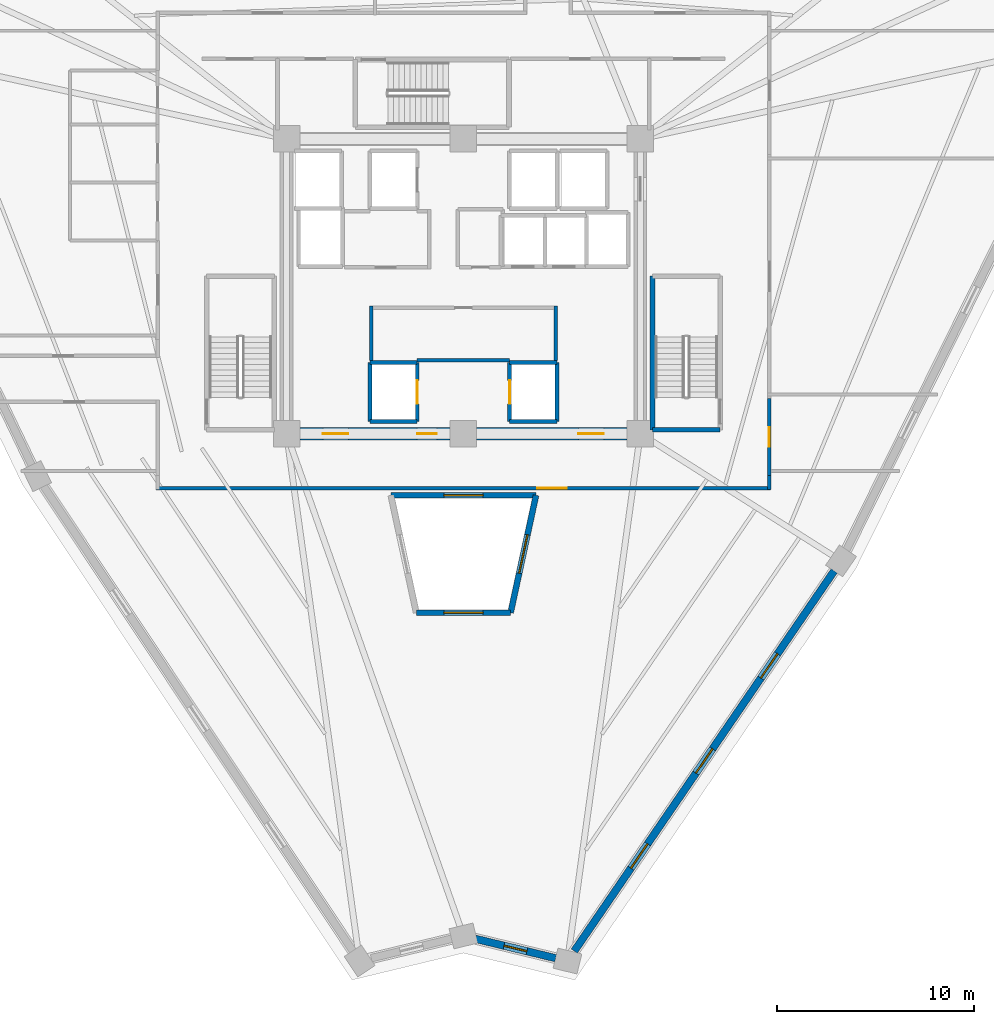
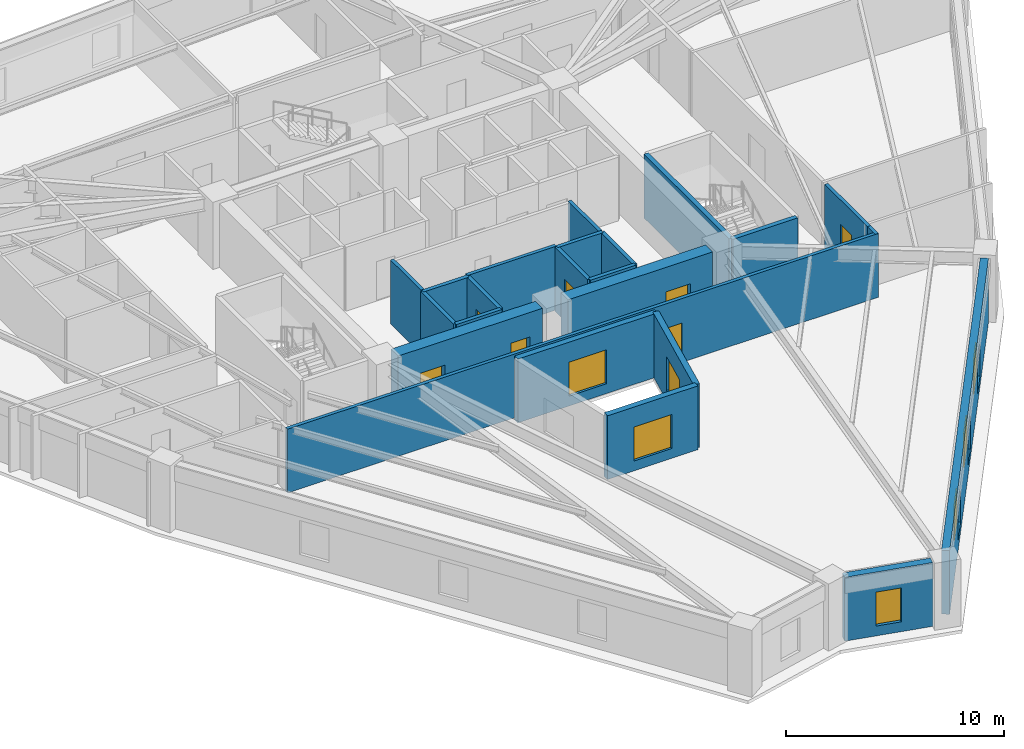
# One storey, part 3 of 9: 23 walls, 7 doors, 7 windows, 14 openings.
"""IFC4 building model written with IfcOpenShell, lengths in metres."""

from ifc_helpers import new_model, si_unit, direction, frame, frame_2d, origin, place, context, subcontext, project, spatial, rectangle, extrude, source, transform, mapped, material, layer, layer_set, type_object, element, fill, save


model = new_model("IFC4")

# Units and contexts
model_context = context("Model", 3, precision=1e-05, world=origin(), true_north=direction((0.0, 1.0)))
body_context = subcontext(model_context, "Body", "Model", "MODEL_VIEW")
ifc_project = project(units=[si_unit("LENGTHUNIT", "METRE"), si_unit("AREAUNIT", "SQUARE_METRE"), si_unit("VOLUMEUNIT", "CUBIC_METRE"), si_unit("PLANEANGLEUNIT", "RADIAN"), si_unit("MASSUNIT", "GRAM", prefix="KILO")], contexts=[model_context])

# Site, building, storey
site_placement = place(None, origin())
site = spatial("IfcSite", under=ifc_project, at=site_placement, CompositionType="ELEMENT")
building_placement = place(site_placement, origin())
building = spatial("IfcBuilding", under=site, at=building_placement, Name="Liaohun Quay Tower", CompositionType="ELEMENT")
storey_placement = place(building_placement, frame((0.0, 0.0, 236.25)))
storey = spatial("IfcBuildingStorey", under=building, at=storey_placement, Name="L61", CompositionType="ELEMENT", Elevation=236.25)

# Wall, opening, window
ifc_material_1 = material(Name="Concrete C50", Category="concrete")
ifc_layer_1 = layer(ifc_material_1, 0.300048828125, Name="Concrete C50", Category="concrete")
ifc_layer_set_1 = layer_set([ifc_layer_1], Name="Concrete C50")
wall_type_1 = type_object("IfcWallType", Name="WAL-ATR-300", PredefinedType="SOLIDWALL", material=ifc_layer_set_1)
wall_1_placement = place(storey_placement, frame((56.306884765625, 43.3701171875, 0.0), z_axis=(0.0, 0.0, 1.0), x_axis=(1.0, 0.0, 0.0)))
wall_1 = element("IfcWall", 1, at=wall_1_placement, inside=storey, type_object=wall_type_1, Name="L61 Atrium Fire Compartment Wall 2", PredefinedType="SOLIDWALL", context=body_context, shape_type="SweptSolid", body=[
    extrude(rectangle(XDim=7.38623046875, YDim=0.300048828125, at=frame_2d((3.693115234375, 0.0))), origin(), (0.0, 0.0, 1.0), 3.570068359375),
])
shared_shape_1 = source(origin(), body_context, "Body", "SweptSolid", [
    extrude(rectangle(XDim=2.0, YDim=1.89990234375, at=frame_2d((1.0, 0.949951171875))), frame((0.0, 0.159912109375, 0.0), z_axis=(0.0, -1.0, 0.0), x_axis=(1.0, 0.0, 0.0)), (0.0, 0.0, 1.0), 0.320068359375),
])
opening_1_placement = place(wall_1_placement, frame((2.693115234375, 0.0, 0.550048828125)))
opening_1 = element("IfcOpeningElement", 2, at=opening_1_placement, cuts=wall_1, Name="Opening W07", PredefinedType="OPENING", context=body_context, shape_type="MappedRepresentation", body=[
    mapped(shared_shape_1, transform((0.0, 0.0, 0.0), x_axis=(1.0, 0.0, 0.0), y_axis=(0.0, 1.0, 0.0), z_axis=(0.0, 0.0, 1.0), scale=1.0)),
])
ifc_material_2 = material(Name="Class A 180-min fire-resistant insulated glazing", Category="glass")
window_type_1 = type_object("IfcWindowType", Name="WIN-ATR-FIR", PartitioningType="DOUBLE_PANEL_VERTICAL", PredefinedType="WINDOW", material=ifc_material_2)
shared_shape_2 = source(origin(), body_context, "Body", "SweptSolid", [
    extrude(rectangle(XDim=2.0, YDim=1.89990234375, at=frame_2d((1.0, 0.949951171875))), frame((0.0, 0.030029296875, 0.0), z_axis=(0.0, -1.0, 0.0), x_axis=(1.0, 0.0, 0.0)), (0.0, 0.0, 1.0), 0.06005859375),
])
window_1_placement = place(opening_1_placement, origin())
window_1 = element("IfcWindow", 3, at=window_1_placement, inside=storey, type_object=window_type_1, Name="L61 Atrium Fire-Resistant Glazing W07-2", OverallHeight=1.89990234375, OverallWidth=2.0, PartitioningType="DOUBLE_PANEL_VERTICAL", PredefinedType="WINDOW", context=body_context, shape_type="MappedRepresentation", body=[
    mapped(shared_shape_2, transform((0.0, 0.0, 0.0), x_axis=(1.0, 0.0, 0.0), y_axis=(0.0, 1.0, 0.0), z_axis=(0.0, 0.0, 1.0), scale=1.0)),
])
fill(opening_1, window_1)

wall_2_placement = place(storey_placement, frame((63.693115234375, 43.3701171875, 0.0), z_axis=(0.0, 0.0, 1.0), x_axis=(-0.211469886749, -0.977384513382, 0.0)))
wall_2 = element("IfcWall", 4, at=wall_2_placement, inside=storey, type_object=wall_type_1, Name="L61 Atrium Fire Compartment Wall 3", PredefinedType="SOLIDWALL", context=body_context, shape_type="SweptSolid", body=[
    extrude(rectangle(XDim=6.115234375, YDim=0.300048828125, at=frame_2d((3.0576171875, 0.0))), origin(), (0.0, 0.0, 1.0), 3.570068359375),
])
opening_2_placement = place(wall_2_placement, frame((2.05810546875, 0.0, 0.550048828125)))
opening_2 = element("IfcOpeningElement", 5, at=opening_2_placement, cuts=wall_2, Name="Opening W07", PredefinedType="OPENING", context=body_context, shape_type="MappedRepresentation", body=[
    mapped(shared_shape_1, transform((0.0, 0.0, 0.0), x_axis=(1.0, 0.0, 0.0), y_axis=(0.0, 1.0, 0.0), z_axis=(0.0, 0.0, 1.0), scale=1.0)),
])
window_2_placement = place(opening_2_placement, origin())
window_2 = element("IfcWindow", 6, at=window_2_placement, inside=storey, type_object=window_type_1, Name="L61 Atrium Fire-Resistant Glazing W07-3", OverallHeight=1.89990234375, OverallWidth=2.0, PartitioningType="DOUBLE_PANEL_VERTICAL", PredefinedType="WINDOW", context=body_context, shape_type="MappedRepresentation", body=[
    mapped(shared_shape_2, transform((0.0, 0.0, 0.0), x_axis=(1.0, 0.0, 0.0), y_axis=(0.0, 1.0, 0.0), z_axis=(0.0, 0.0, 1.0), scale=1.0)),
])
fill(opening_2, window_2)

wall_3_placement = place(storey_placement, frame((62.39990234375, 37.39306640625, 0.0), z_axis=(0.0, 0.0, 1.0), x_axis=(-1.0, 0.0, 0.0)))
wall_3 = element("IfcWall", 7, at=wall_3_placement, inside=storey, type_object=wall_type_1, Name="L61 Atrium Fire Compartment Wall 4", PredefinedType="SOLIDWALL", context=body_context, shape_type="SweptSolid", body=[
    extrude(rectangle(XDim=4.7998046875, YDim=0.300048828125, at=frame_2d((2.39990234375, 0.0))), origin(), (0.0, 0.0, 1.0), 3.570068359375),
])
opening_3_placement = place(wall_3_placement, frame((1.39990234375, 0.0, 0.550048828125)))
opening_3 = element("IfcOpeningElement", 8, at=opening_3_placement, cuts=wall_3, Name="Opening W07", PredefinedType="OPENING", context=body_context, shape_type="MappedRepresentation", body=[
    mapped(shared_shape_1, transform((0.0, 0.0, 0.0), x_axis=(1.0, 0.0, 0.0), y_axis=(0.0, 1.0, 0.0), z_axis=(0.0, 0.0, 1.0), scale=1.0)),
])
window_3_placement = place(opening_3_placement, origin())
window_3 = element("IfcWindow", 9, at=window_3_placement, inside=storey, type_object=window_type_1, Name="L61 Atrium Fire-Resistant Glazing W07-4", OverallHeight=1.89990234375, OverallWidth=2.0, PartitioningType="DOUBLE_PANEL_VERTICAL", PredefinedType="WINDOW", context=body_context, shape_type="MappedRepresentation", body=[
    mapped(shared_shape_2, transform((0.0, 0.0, 0.0), x_axis=(1.0, 0.0, 0.0), y_axis=(0.0, 1.0, 0.0), z_axis=(0.0, 0.0, 1.0), scale=1.0)),
])
fill(opening_3, window_3)

# Wall, opening, door
ifc_material_3 = material(Name="Concrete C55", Category="concrete")
ifc_layer_2 = layer(ifc_material_3, 0.64990234375, Name="Concrete C55", Category="concrete")
ifc_layer_set_2 = layer_set([ifc_layer_2], Name="Concrete C55")
wall_type_2 = type_object("IfcWallType", Name="WAL-COR-Z3", PredefinedType="SHEAR", material=ifc_layer_set_2)
wall_4_placement = place(storey_placement, frame((68.324951171875, 46.5, 0.0), z_axis=(0.0, 0.0, 1.0), x_axis=(-1.0, 0.0, 0.0)))
wall_4 = element("IfcWall", 10, at=wall_4_placement, inside=storey, type_object=wall_type_2, Name="L61 Central Core Shear Wall S-E", PredefinedType="SHEAR", context=body_context, shape_type="SweptSolid", body=[
    extrude(rectangle(XDim=7.64990234375, YDim=0.64990234375, at=frame_2d((3.824951171875, 0.0))), origin(), (0.0, 0.0, 1.0), 3.570068359375),
])
shared_shape_3 = source(origin(), body_context, "Body", "SweptSolid", [
    extrude(rectangle(XDim=1.300048828125, YDim=2.199951171875, at=frame_2d((0.64990234375, 1.10009765625))), frame((0.0, 0.3349609375, 0.0), z_axis=(0.0, -1.0, 0.0), x_axis=(1.0, 0.0, 0.0)), (0.0, 0.0, 1.0), 0.669921875),
])
opening_4_placement = place(wall_4_placement, frame((1.175048828125, 0.0, 0.0)))
opening_4 = element("IfcOpeningElement", 11, at=opening_4_placement, cuts=wall_4, Name="Opening FD1", PredefinedType="OPENING", context=body_context, shape_type="MappedRepresentation", body=[
    mapped(shared_shape_3, transform((0.0, 0.0, 0.0), x_axis=(1.0, 0.0, 0.0), y_axis=(0.0, 1.0, 0.0), z_axis=(0.0, 0.0, 1.0), scale=1.0)),
])
ifc_material_4 = material(Name="Galvanised steel smokeproof fire door", Category="steel")
door_type_1 = type_object("IfcDoorType", Name="DOR-FFL-1300", OperationType="NOTDEFINED", PredefinedType="DOOR", material=ifc_material_4)
shared_shape_4 = source(origin(), body_context, "Body", "SweptSolid", [
    extrude(rectangle(XDim=1.300048828125, YDim=2.199951171875, at=frame_2d((0.64990234375, 1.10009765625))), frame((0.0, 0.02490234375, 0.0), z_axis=(0.0, -1.0, 0.0), x_axis=(1.0, 0.0, 0.0)), (0.0, 0.0, 1.0), 0.050048828125),
])
door_1_placement = place(opening_4_placement, origin())
door_1 = element("IfcDoor", 12, at=door_1_placement, inside=storey, type_object=door_type_1, Name="L61 East Core Lift Lobby Smokeproof Door", OperationType="SINGLE_SWING_LEFT", OverallHeight=2.199951171875, OverallWidth=1.300048828125, PredefinedType="DOOR", context=body_context, shape_type="MappedRepresentation", body=[
    mapped(shared_shape_4, transform((0.0, 0.0, 0.0), x_axis=(1.0, 0.0, 0.0), y_axis=(0.0, 1.0, 0.0), z_axis=(0.0, 0.0, 1.0), scale=1.0)),
])
fill(opening_4, door_1)

# Wall, openings, doors
wall_5_placement = place(storey_placement, frame((59.324951171875, 46.5, 0.0), z_axis=(0.0, 0.0, 1.0), x_axis=(-1.0, 0.0, 0.0)))
wall_5 = element("IfcWall", 13, at=wall_5_placement, inside=storey, type_object=wall_type_2, Name="L61 Central Core Shear Wall S-W", PredefinedType="SHEAR", context=body_context, shape_type="SweptSolid", body=[
    extrude(rectangle(XDim=7.64990234375, YDim=0.64990234375, at=frame_2d((3.824951171875, 0.0))), origin(), (0.0, 0.0, 1.0), 3.570068359375),
])
opening_5_placement = place(wall_5_placement, frame((5.175048828125, 0.0, 0.0)))
opening_5 = element("IfcOpeningElement", 14, at=opening_5_placement, cuts=wall_5, Name="Opening FD1", PredefinedType="OPENING", context=body_context, shape_type="MappedRepresentation", body=[
    mapped(shared_shape_3, transform((0.0, 0.0, 0.0), x_axis=(1.0, 0.0, 0.0), y_axis=(0.0, 1.0, 0.0), z_axis=(0.0, 0.0, 1.0), scale=1.0)),
])
shared_shape_5 = source(origin(), body_context, "Body", "SweptSolid", [
    extrude(rectangle(XDim=1.0, YDim=2.199951171875, at=frame_2d((0.5, 1.10009765625))), frame((0.0, 0.3349609375, 0.0), z_axis=(0.0, -1.0, 0.0), x_axis=(1.0, 0.0, 0.0)), (0.0, 0.0, 1.0), 0.669921875),
])
opening_6_placement = place(wall_5_placement, frame((0.675048828125, 0.0, 0.0)))
opening_6 = element("IfcOpeningElement", 15, at=opening_6_placement, cuts=wall_5, Name="Opening FD2", PredefinedType="OPENING", context=body_context, shape_type="MappedRepresentation", body=[
    mapped(shared_shape_5, transform((0.0, 0.0, 0.0), x_axis=(1.0, 0.0, 0.0), y_axis=(0.0, 1.0, 0.0), z_axis=(0.0, 0.0, 1.0), scale=1.0)),
])
door_2_placement = place(opening_5_placement, origin())
door_2 = element("IfcDoor", 16, at=door_2_placement, inside=storey, type_object=door_type_1, Name="L61 West Core Lift Lobby Smokeproof Door", OperationType="SINGLE_SWING_RIGHT", OverallHeight=2.199951171875, OverallWidth=1.300048828125, PredefinedType="DOOR", context=body_context, shape_type="MappedRepresentation", body=[
    mapped(shared_shape_4, transform((0.0, 0.0, 0.0), x_axis=(1.0, 0.0, 0.0), y_axis=(0.0, 1.0, 0.0), z_axis=(0.0, 0.0, 1.0), scale=1.0)),
])
fill(opening_5, door_2)
ifc_material_5 = material(Name="Galvanised steel smokeproof lobby fire door", Category="steel")
door_type_2 = type_object("IfcDoorType", Name="DOR-FFL-1000", OperationType="NOTDEFINED", PredefinedType="DOOR", material=ifc_material_5)
shared_shape_6 = source(origin(), body_context, "Body", "SweptSolid", [
    extrude(rectangle(XDim=1.0, YDim=2.199951171875, at=frame_2d((0.5, 1.10009765625))), frame((0.0, 0.02490234375, 0.0), z_axis=(0.0, -1.0, 0.0), x_axis=(1.0, 0.0, 0.0)), (0.0, 0.0, 1.0), 0.050048828125),
])
door_3_placement = place(opening_6_placement, origin())
door_3 = element("IfcDoor", 17, at=door_3_placement, inside=storey, type_object=door_type_2, Name="L61 South Firefighting Lobby Smokeproof Door", OperationType="SINGLE_SWING_LEFT", OverallHeight=2.199951171875, OverallWidth=1.0, PredefinedType="DOOR", context=body_context, shape_type="MappedRepresentation", body=[
    mapped(shared_shape_6, transform((0.0, 0.0, 0.0), x_axis=(1.0, 0.0, 0.0), y_axis=(0.0, 1.0, 0.0), z_axis=(0.0, 0.0, 1.0), scale=1.0)),
])
fill(opening_6, door_3)

# Wall, opening, window
ifc_material_6 = material(Name="Precast concrete C50 insulated sandwich", Category="concrete")
ifc_layer_3 = layer(ifc_material_6, 0.3798828125, Name="Precast concrete C50 insulated sandwich", Category="concrete")
ifc_layer_set_3 = layer_set([ifc_layer_3], Name="Precast concrete C50 insulated sandwich")
wall_type_3 = type_object("IfcWallType", Name="WAL-EXT-Z34", PredefinedType="SOLIDWALL", material=ifc_layer_set_3)
wall_6_placement = place(storey_placement, frame((60.597900390625, 20.80908203125, 0.0), z_axis=(0.0, 0.0, 1.0), x_axis=(0.972014274606, -0.234921795418, 0.0)))
wall_6 = element("IfcWall", 18, at=wall_6_placement, inside=storey, type_object=wall_type_3, Name="L61 Brutalist Precast Pier Wall 01", PredefinedType="SOLIDWALL", context=body_context, shape_type="SweptSolid", body=[
    extrude(rectangle(XDim=4.214111328125, YDim=0.3798828125, at=frame_2d((2.10693359375, 0.0))), origin(), (0.0, 0.0, 1.0), 3.570068359375),
])
shared_shape_7 = source(origin(), body_context, "Body", "SweptSolid", [
    extrude(rectangle(XDim=1.199951171875, YDim=1.89990234375, at=frame_2d((0.60009765625, 0.949951171875))), frame((0.0, 0.199951171875, 0.0), z_axis=(0.0, -1.0, 0.0), x_axis=(1.0, 0.0, 0.0)), (0.0, 0.0, 1.0), 0.39990234375),
])
opening_7_placement = place(wall_6_placement, frame((1.507080078125, 0.0, 0.550048828125)))
opening_7 = element("IfcOpeningElement", 19, at=opening_7_placement, cuts=wall_6, Name="Opening W05", PredefinedType="OPENING", context=body_context, shape_type="MappedRepresentation", body=[
    mapped(shared_shape_7, transform((0.0, 0.0, 0.0), x_axis=(1.0, 0.0, 0.0), y_axis=(0.0, 1.0, 0.0), z_axis=(0.0, 0.0, 1.0), scale=1.0)),
])
ifc_material_7 = material(Name="Triple Low-E corner notch glazing", Category="glass")
window_type_2 = type_object("IfcWindowType", Name="WIN-NOTCH", PartitioningType="SINGLE_PANEL", PredefinedType="WINDOW", material=ifc_material_7)
shared_shape_8 = source(origin(), body_context, "Body", "SweptSolid", [
    extrude(rectangle(XDim=1.199951171875, YDim=1.89990234375, at=frame_2d((0.60009765625, 0.949951171875))), frame((0.0, 0.030029296875, 0.0), z_axis=(0.0, -1.0, 0.0), x_axis=(1.0, 0.0, 0.0)), (0.0, 0.0, 1.0), 0.06005859375),
])
window_4_placement = place(opening_7_placement, origin())
window_4 = element("IfcWindow", 20, at=window_4_placement, inside=storey, type_object=window_type_2, Name="L61 Corner Notch Window W05-01", OverallHeight=1.89990234375, OverallWidth=1.199951171875, PartitioningType="SINGLE_PANEL", PredefinedType="WINDOW", context=body_context, shape_type="MappedRepresentation", body=[
    mapped(shared_shape_8, transform((0.0, 0.0, 0.0), x_axis=(1.0, 0.0, 0.0), y_axis=(0.0, 1.0, 0.0), z_axis=(0.0, 0.0, 1.0), scale=1.0)),
])
fill(opening_7, window_4)

# Wall, openings, windows
wall_7_placement = place(storey_placement, frame((65.638916015625, 20.18310546875, 0.0), z_axis=(0.0, 0.0, 1.0), x_axis=(0.564381319664, 0.825514219147, 0.0)))
wall_7 = element("IfcWall", 21, at=wall_7_placement, inside=storey, type_object=wall_type_3, Name="L61 Brutalist Precast Pier Wall 02", PredefinedType="SOLIDWALL", context=body_context, shape_type="SweptSolid", body=[
    extrude(rectangle(XDim=23.43115234375, YDim=0.3798828125, at=frame_2d((11.715576171875, 0.0))), origin(), (0.0, 0.0, 1.0), 3.570068359375),
])
shared_shape_9 = source(origin(), body_context, "Body", "SweptSolid", [
    extrude(rectangle(XDim=1.5, YDim=1.89990234375, at=frame_2d((0.75, 0.949951171875))), frame((0.0, 0.199951171875, 0.0), z_axis=(0.0, -1.0, 0.0), x_axis=(1.0, 0.0, 0.0)), (0.0, 0.0, 1.0), 0.39990234375),
])
opening_8_placement = place(wall_7_placement, frame((5.10791015625, 0.0, 0.550048828125)))
opening_8 = element("IfcOpeningElement", 22, at=opening_8_placement, cuts=wall_7, Name="Opening W03", PredefinedType="OPENING", context=body_context, shape_type="MappedRepresentation", body=[
    mapped(shared_shape_9, transform((0.0, 0.0, 0.0), x_axis=(1.0, 0.0, 0.0), y_axis=(0.0, 1.0, 0.0), z_axis=(0.0, 0.0, 1.0), scale=1.0)),
])
opening_9_placement = place(wall_7_placement, frame((10.966064453125, 0.0, 0.550048828125)))
opening_9 = element("IfcOpeningElement", 23, at=opening_9_placement, cuts=wall_7, Name="Opening W03", PredefinedType="OPENING", context=body_context, shape_type="MappedRepresentation", body=[
    mapped(shared_shape_9, transform((0.0, 0.0, 0.0), x_axis=(1.0, 0.0, 0.0), y_axis=(0.0, 1.0, 0.0), z_axis=(0.0, 0.0, 1.0), scale=1.0)),
])
opening_10_placement = place(wall_7_placement, frame((16.822998046875, 0.0, 0.550048828125)))
opening_10 = element("IfcOpeningElement", 24, at=opening_10_placement, cuts=wall_7, Name="Opening W03", PredefinedType="OPENING", context=body_context, shape_type="MappedRepresentation", body=[
    mapped(shared_shape_9, transform((0.0, 0.0, 0.0), x_axis=(1.0, 0.0, 0.0), y_axis=(0.0, 1.0, 0.0), z_axis=(0.0, 0.0, 1.0), scale=1.0)),
])
ifc_material_8 = material(Name="Triple Low-E argon glazing in thermally broken aluminium", Category="aluminium")
window_type_3 = type_object("IfcWindowType", Name="WIN-PUN-Z3", PartitioningType="DOUBLE_PANEL_VERTICAL", PredefinedType="WINDOW", material=ifc_material_8)
shared_shape_10 = source(origin(), body_context, "Body", "SweptSolid", [
    extrude(rectangle(XDim=1.5, YDim=1.89990234375, at=frame_2d((0.75, 0.949951171875))), frame((0.0, 0.030029296875, 0.0), z_axis=(0.0, -1.0, 0.0), x_axis=(1.0, 0.0, 0.0)), (0.0, 0.0, 1.0), 0.06005859375),
])
window_5_placement = place(opening_8_placement, origin())
window_5 = element("IfcWindow", 25, at=window_5_placement, inside=storey, type_object=window_type_3, Name="L61 Recessed Cold-Climate Punched Window 02-1", OverallHeight=1.89990234375, OverallWidth=1.5, PartitioningType="DOUBLE_PANEL_VERTICAL", PredefinedType="WINDOW", context=body_context, shape_type="MappedRepresentation", body=[
    mapped(shared_shape_10, transform((0.0, 0.0, 0.0), x_axis=(1.0, 0.0, 0.0), y_axis=(0.0, 1.0, 0.0), z_axis=(0.0, 0.0, 1.0), scale=1.0)),
])
fill(opening_8, window_5)
window_6_placement = place(opening_9_placement, origin())
window_6 = element("IfcWindow", 26, at=window_6_placement, inside=storey, type_object=window_type_3, Name="L61 Recessed Cold-Climate Punched Window 02-2", OverallHeight=1.89990234375, OverallWidth=1.5, PartitioningType="DOUBLE_PANEL_VERTICAL", PredefinedType="WINDOW", context=body_context, shape_type="MappedRepresentation", body=[
    mapped(shared_shape_10, transform((0.0, 0.0, 0.0), x_axis=(1.0, 0.0, 0.0), y_axis=(0.0, 1.0, 0.0), z_axis=(0.0, 0.0, 1.0), scale=1.0)),
])
fill(opening_9, window_6)
window_7_placement = place(opening_10_placement, origin())
window_7 = element("IfcWindow", 27, at=window_7_placement, inside=storey, type_object=window_type_3, Name="L61 Recessed Cold-Climate Punched Window 02-3", OverallHeight=1.89990234375, OverallWidth=1.5, PartitioningType="DOUBLE_PANEL_VERTICAL", PredefinedType="WINDOW", context=body_context, shape_type="MappedRepresentation", body=[
    mapped(shared_shape_10, transform((0.0, 0.0, 0.0), x_axis=(1.0, 0.0, 0.0), y_axis=(0.0, 1.0, 0.0), z_axis=(0.0, 0.0, 1.0), scale=1.0)),
])
fill(opening_10, window_7)

# Wall, opening, door
ifc_material_9 = material(Name="Autoclaved aerated concrete blockwork", Category="masonry")
ifc_layer_4 = layer(ifc_material_9, 0.179931640625, Name="Autoclaved aerated concrete blockwork", Category="masonry")
ifc_layer_set_4 = layer_set([ifc_layer_4], Name="Autoclaved aerated concrete blockwork")
wall_type_4 = type_object("IfcWallType", Name="WAL-PRT-COR", PredefinedType="PARTITIONING", material=ifc_layer_set_4)
wall_8_placement = place(storey_placement, frame((75.6298828125, 43.739990234375, 0.0), z_axis=(0.0, 0.0, 1.0), x_axis=(-1.0, 0.0, 0.0)))
wall_8 = element("IfcWall", 28, at=wall_8_placement, inside=storey, type_object=wall_type_4, Name="L61 Interior Partition Wall 019", PredefinedType="PARTITIONING", context=body_context, shape_type="SweptSolid", body=[
    extrude(rectangle(XDim=31.259765625, YDim=0.179931640625, at=frame_2d((15.6298828125, 0.0))), origin(), (0.0, 0.0, 1.0), 3.570068359375),
])
shared_shape_11 = source(origin(), body_context, "Body", "SweptSolid", [
    extrude(rectangle(XDim=1.5, YDim=2.199951171875, at=frame_2d((0.75, 1.10009765625))), frame((0.0, 0.099853515625, 0.0), z_axis=(0.0, -1.0, 0.0), x_axis=(1.0, 0.0, 0.0)), (0.0, 0.0, 1.0), 0.199951171875),
])
opening_11_placement = place(wall_8_placement, frame((10.3798828125, 0.0, 0.0)))
opening_11 = element("IfcOpeningElement", 29, at=opening_11_placement, cuts=wall_8, Name="Opening OD2", PredefinedType="OPENING", context=body_context, shape_type="MappedRepresentation", body=[
    mapped(shared_shape_11, transform((0.0, 0.0, 0.0), x_axis=(1.0, 0.0, 0.0), y_axis=(0.0, 1.0, 0.0), z_axis=(0.0, 0.0, 1.0), scale=1.0)),
])
ifc_material_10 = material(Name="Acoustic oak veneer double door")
door_type_3 = type_object("IfcDoorType", Name="DOR-OFF-1500", OperationType="DOUBLE_DOOR_SINGLE_SWING", PredefinedType="DOOR", material=ifc_material_10)
shared_shape_12 = source(origin(), body_context, "Body", "SweptSolid", [
    extrude(rectangle(XDim=1.5, YDim=2.199951171875, at=frame_2d((0.75, 1.10009765625))), frame((0.0, 0.02490234375, 0.0), z_axis=(0.0, -1.0, 0.0), x_axis=(1.0, 0.0, 0.0)), (0.0, 0.0, 1.0), 0.050048828125),
])
door_4_placement = place(opening_11_placement, origin())
door_4 = element("IfcDoor", 30, at=door_4_placement, inside=storey, type_object=door_type_3, Name="L61 Records Archive Store 09 Door", OperationType="DOUBLE_DOOR_SINGLE_SWING", OverallHeight=2.199951171875, OverallWidth=1.5, PredefinedType="DOOR", context=body_context, shape_type="MappedRepresentation", body=[
    mapped(shared_shape_12, transform((0.0, 0.0, 0.0), x_axis=(1.0, 0.0, 0.0), y_axis=(0.0, 1.0, 0.0), z_axis=(0.0, 0.0, 1.0), scale=1.0)),
])
fill(opening_11, door_4)

wall_9_placement = place(storey_placement, frame((75.56005859375, 48.284912109375, 0.0), z_axis=(0.0, 0.0, 1.0), x_axis=(0.0, -1.0, 0.0)))
wall_9 = element("IfcWall", 31, at=wall_9_placement, inside=storey, type_object=wall_type_4, Name="L61 Interior Partition Wall 020", PredefinedType="PARTITIONING", context=body_context, shape_type="SweptSolid", body=[
    extrude(rectangle(XDim=3.89990234375, YDim=0.179931640625, at=frame_2d((1.949951171875, 0.0))), origin(), (0.0, 0.0, 1.0), 3.570068359375),
])
shared_shape_13 = source(origin(), body_context, "Body", "SweptSolid", [
    extrude(rectangle(XDim=1.0, YDim=2.199951171875, at=frame_2d((0.5, 1.10009765625))), frame((0.0, 0.099853515625, 0.0), z_axis=(0.0, -1.0, 0.0), x_axis=(1.0, 0.0, 0.0)), (0.0, 0.0, 1.0), 0.199951171875),
])
opening_12_placement = place(wall_9_placement, frame((1.449951171875, 0.0, 0.0)))
opening_12 = element("IfcOpeningElement", 32, at=opening_12_placement, cuts=wall_9, Name="Opening OD1", PredefinedType="OPENING", context=body_context, shape_type="MappedRepresentation", body=[
    mapped(shared_shape_13, transform((0.0, 0.0, 0.0), x_axis=(1.0, 0.0, 0.0), y_axis=(0.0, 1.0, 0.0), z_axis=(0.0, 0.0, 1.0), scale=1.0)),
])
ifc_material_11 = material(Name="Solid-core oak veneer timber leaf in steel frame", Category="steel")
door_type_4 = type_object("IfcDoorType", Name="DOR-OFF-1000", OperationType="NOTDEFINED", PredefinedType="DOOR", material=ifc_material_11)
door_5_placement = place(opening_12_placement, origin())
door_5 = element("IfcDoor", 33, at=door_5_placement, inside=storey, type_object=door_type_4, Name="L61 Open-Plan Office Workplace 10 Door", OperationType="SINGLE_SWING_RIGHT", OverallHeight=2.199951171875, OverallWidth=1.0, PredefinedType="DOOR", context=body_context, shape_type="MappedRepresentation", body=[
    mapped(shared_shape_6, transform((0.0, 0.0, 0.0), x_axis=(1.0, 0.0, 0.0), y_axis=(0.0, 1.0, 0.0), z_axis=(0.0, 0.0, 1.0), scale=1.0)),
])
fill(opening_12, door_5)

# Walls
wall_10_placement = place(storey_placement, frame((75.56005859375, 44.385009765625, 0.0), z_axis=(0.0, 0.0, 1.0), x_axis=(0.0, -1.0, 0.0)))
element("IfcWall", 34, at=wall_10_placement, inside=storey, type_object=wall_type_4, Name="L61 Interior Partition Wall 039", PredefinedType="PARTITIONING", context=body_context, shape_type="SweptSolid", body=[
    extrude(rectangle(XDim=0.715087890625, YDim=0.179931640625, at=frame_2d((0.357421875, 0.0))), origin(), (0.0, 0.0, 1.0), 3.570068359375),
])
for number, where, z_axis, x_axis, name in (
    (35, (55.300048828125, 50.219970703125, 0.0), (0.0, 0.0, 1.0), (0.0, 1.0, 0.0), "L61 Interior Partition Wall 048"),
    (36, (64.699951171875, 50.219970703125, 0.0), (0.0, 0.0, 1.0), (0.0, 1.0, 0.0), "L61 Interior Partition Wall 049"),
):
    element("IfcWall", number, at=place(storey_placement, frame(where, z_axis=z_axis, x_axis=x_axis)), inside=storey, type_object=wall_type_4, Name=name, PredefinedType="PARTITIONING", context=body_context, shape_type="SweptSolid", body=[
        extrude(rectangle(XDim=2.7900390625, YDim=0.179931640625, at=frame_2d((1.39501953125, 0.0))), origin(), (0.0, 0.0, 1.0), 3.570068359375),
    ])
wall_11_placement = place(storey_placement, frame((57.64990234375, 50.25, 0.0), z_axis=(0.0, 0.0, 1.0), x_axis=(1.0, 0.0, 0.0)))
element("IfcWall", 37, at=wall_11_placement, inside=storey, type_object=wall_type_4, Name="L61 Interior Partition Wall 050", PredefinedType="PARTITIONING", context=body_context, shape_type="SweptSolid", body=[
    extrude(rectangle(XDim=4.7001953125, YDim=0.179931640625, at=frame_2d((2.35009765625, 0.0))), origin(), (0.0, 0.0, 1.0), 3.570068359375),
])
ifc_layer_5 = layer(ifc_material_1, 0.239990234375, Name="Concrete C50", Category="concrete")
ifc_layer_set_5 = layer_set([ifc_layer_5], Name="Concrete C50")
wall_type_5 = type_object("IfcWallType", Name="WAL-SHF-200", PredefinedType="SOLIDWALL", material=ifc_layer_set_5)
wall_12_placement = place(storey_placement, frame((69.6201171875, 46.699951171875, 0.0), z_axis=(0.0, 0.0, 1.0), x_axis=(1.0, 0.0, 0.0)))
element("IfcWall", 38, at=wall_12_placement, inside=storey, type_object=wall_type_5, Name="L61 Stairwell ST-2 Structural Core Wall S", PredefinedType="SOLIDWALL", context=body_context, shape_type="SweptSolid", body=[
    extrude(rectangle(XDim=3.43994140625, YDim=0.239990234375, at=frame_2d((1.719970703125, 0.0))), origin(), (0.0, 0.0, 1.0), 3.570068359375),
])
wall_13_placement = place(storey_placement, frame((69.6201171875, 54.52001953125, 0.0), z_axis=(0.0, 0.0, 1.0), x_axis=(0.0, -1.0, 0.0)))
element("IfcWall", 39, at=wall_13_placement, inside=storey, type_object=wall_type_5, Name="L61 Stairwell ST-2 Structural Core Wall W", PredefinedType="SOLIDWALL", context=body_context, shape_type="SweptSolid", body=[
    extrude(rectangle(XDim=7.820068359375, YDim=0.239990234375, at=frame_2d((3.91015625, 0.0))), origin(), (0.0, 0.0, 1.0), 3.570068359375),
])
wall_14_placement = place(storey_placement, frame((55.25, 47.1201171875, 0.0), z_axis=(0.0, 0.0, 1.0), x_axis=(1.0, 0.0, 0.0)))
element("IfcWall", 40, at=wall_14_placement, inside=storey, type_object=wall_type_5, Name="L61 Lift FF-01 Hoistway Wall S", PredefinedType="SOLIDWALL", context=body_context, shape_type="SweptSolid", body=[
    extrude(rectangle(XDim=2.39990234375, YDim=0.199951171875, at=frame_2d((1.199951171875, 0.0))), origin(), (0.0, 0.0, 1.0), 3.570068359375),
])

# Wall, opening, door
wall_15_placement = place(storey_placement, frame((57.64990234375, 47.1201171875, 0.0), z_axis=(0.0, 0.0, 1.0), x_axis=(0.0, 1.0, 0.0)))
wall_15 = element("IfcWall", 41, at=wall_15_placement, inside=storey, type_object=wall_type_5, Name="L61 Lift FF-01 Hoistway Wall E", PredefinedType="SOLIDWALL", context=body_context, shape_type="SweptSolid", body=[
    extrude(rectangle(XDim=3.0, YDim=0.199951171875, at=frame_2d((1.5, 0.0))), origin(), (0.0, 0.0, 1.0), 3.570068359375),
])
shared_shape_14 = source(origin(), body_context, "Body", "SweptSolid", [
    extrude(rectangle(XDim=1.199951171875, YDim=2.300048828125, at=frame_2d((0.60009765625, 1.14990234375))), frame((0.0, 0.10986328125, 0.0), z_axis=(0.0, -1.0, 0.0), x_axis=(1.0, 0.0, 0.0)), (0.0, 0.0, 1.0), 0.219970703125),
])
opening_13_placement = place(wall_15_placement, frame((0.89990234375, 0.0, 0.0)))
opening_13 = element("IfcOpeningElement", 42, at=opening_13_placement, cuts=wall_15, Name="Opening LD2", PredefinedType="OPENING", context=body_context, shape_type="MappedRepresentation", body=[
    mapped(shared_shape_14, transform((0.0, 0.0, 0.0), x_axis=(1.0, 0.0, 0.0), y_axis=(0.0, 1.0, 0.0), z_axis=(0.0, 0.0, 1.0), scale=1.0)),
])
ifc_material_12 = material(Name="Brushed stainless steel stretcher landing door", Category="steel")
door_type_5 = type_object("IfcDoorType", Name="DOR-LFT-1200", OperationType="SLIDING_TO_LEFT", PredefinedType="DOOR", material=ifc_material_12)
shared_shape_15 = source(origin(), body_context, "Body", "SweptSolid", [
    extrude(rectangle(XDim=1.199951171875, YDim=2.300048828125, at=frame_2d((0.60009765625, 1.14990234375))), frame((0.0, 0.02490234375, 0.0), z_axis=(0.0, -1.0, 0.0), x_axis=(1.0, 0.0, 0.0)), (0.0, 0.0, 1.0), 0.050048828125),
])
door_6_placement = place(opening_13_placement, origin())
door_6 = element("IfcDoor", 43, at=door_6_placement, inside=storey, type_object=door_type_5, Name="L61 Lift FF-01 Sliding Landing Door", OperationType="SLIDING_TO_LEFT", OverallHeight=2.300048828125, OverallWidth=1.199951171875, PredefinedType="DOOR", context=body_context, shape_type="MappedRepresentation", body=[
    mapped(shared_shape_15, transform((0.0, 0.0, 0.0), x_axis=(1.0, 0.0, 0.0), y_axis=(0.0, 1.0, 0.0), z_axis=(0.0, 0.0, 1.0), scale=1.0)),
])
fill(opening_13, door_6)

# Walls
wall_16_placement = place(storey_placement, frame((57.64990234375, 50.1201171875, 0.0), z_axis=(0.0, 0.0, 1.0), x_axis=(-1.0, 0.0, 0.0)))
element("IfcWall", 44, at=wall_16_placement, inside=storey, type_object=wall_type_5, Name="L61 Lift FF-01 Hoistway Wall N", PredefinedType="SOLIDWALL", context=body_context, shape_type="SweptSolid", body=[
    extrude(rectangle(XDim=2.39990234375, YDim=0.199951171875, at=frame_2d((1.199951171875, 0.0))), origin(), (0.0, 0.0, 1.0), 3.570068359375),
])
wall_17_placement = place(storey_placement, frame((55.25, 50.1201171875, 0.0), z_axis=(0.0, 0.0, 1.0), x_axis=(0.0, -1.0, 0.0)))
element("IfcWall", 45, at=wall_17_placement, inside=storey, type_object=wall_type_5, Name="L61 Lift FF-01 Hoistway Wall W", PredefinedType="SOLIDWALL", context=body_context, shape_type="SweptSolid", body=[
    extrude(rectangle(XDim=3.0, YDim=0.199951171875, at=frame_2d((1.5, 0.0))), origin(), (0.0, 0.0, 1.0), 3.570068359375),
])
wall_18_placement = place(storey_placement, frame((62.35009765625, 47.1201171875, 0.0), z_axis=(0.0, 0.0, 1.0), x_axis=(1.0, 0.0, 0.0)))
element("IfcWall", 46, at=wall_18_placement, inside=storey, type_object=wall_type_5, Name="L61 Lift FF-02 Hoistway Wall S", PredefinedType="SOLIDWALL", context=body_context, shape_type="SweptSolid", body=[
    extrude(rectangle(XDim=2.39990234375, YDim=0.199951171875, at=frame_2d((1.199951171875, 0.0))), origin(), (0.0, 0.0, 1.0), 3.570068359375),
])
wall_19_placement = place(storey_placement, frame((64.75, 47.1201171875, 0.0), z_axis=(0.0, 0.0, 1.0), x_axis=(0.0, 1.0, 0.0)))
element("IfcWall", 47, at=wall_19_placement, inside=storey, type_object=wall_type_5, Name="L61 Lift FF-02 Hoistway Wall E", PredefinedType="SOLIDWALL", context=body_context, shape_type="SweptSolid", body=[
    extrude(rectangle(XDim=3.0, YDim=0.199951171875, at=frame_2d((1.5, 0.0))), origin(), (0.0, 0.0, 1.0), 3.570068359375),
])
wall_20_placement = place(storey_placement, frame((64.75, 50.1201171875, 0.0), z_axis=(0.0, 0.0, 1.0), x_axis=(-1.0, 0.0, 0.0)))
element("IfcWall", 48, at=wall_20_placement, inside=storey, type_object=wall_type_5, Name="L61 Lift FF-02 Hoistway Wall N", PredefinedType="SOLIDWALL", context=body_context, shape_type="SweptSolid", body=[
    extrude(rectangle(XDim=2.39990234375, YDim=0.199951171875, at=frame_2d((1.199951171875, 0.0))), origin(), (0.0, 0.0, 1.0), 3.570068359375),
])

# Wall, opening, door
wall_21_placement = place(storey_placement, frame((62.35009765625, 50.1201171875, 0.0), z_axis=(0.0, 0.0, 1.0), x_axis=(0.0, -1.0, 0.0)))
wall_21 = element("IfcWall", 49, at=wall_21_placement, inside=storey, type_object=wall_type_5, Name="L61 Lift FF-02 Hoistway Wall W", PredefinedType="SOLIDWALL", context=body_context, shape_type="SweptSolid", body=[
    extrude(rectangle(XDim=3.0, YDim=0.199951171875, at=frame_2d((1.5, 0.0))), origin(), (0.0, 0.0, 1.0), 3.570068359375),
])
opening_14_placement = place(wall_21_placement, frame((0.89990234375, 0.0, 0.0)))
opening_14 = element("IfcOpeningElement", 50, at=opening_14_placement, cuts=wall_21, Name="Opening LD2", PredefinedType="OPENING", context=body_context, shape_type="MappedRepresentation", body=[
    mapped(shared_shape_14, transform((0.0, 0.0, 0.0), x_axis=(1.0, 0.0, 0.0), y_axis=(0.0, 1.0, 0.0), z_axis=(0.0, 0.0, 1.0), scale=1.0)),
])
door_7_placement = place(opening_14_placement, origin())
door_7 = element("IfcDoor", 51, at=door_7_placement, inside=storey, type_object=door_type_5, Name="L61 Lift FF-02 Sliding Landing Door", OperationType="SLIDING_TO_LEFT", OverallHeight=2.300048828125, OverallWidth=1.199951171875, PredefinedType="DOOR", context=body_context, shape_type="MappedRepresentation", body=[
    mapped(shared_shape_15, transform((0.0, 0.0, 0.0), x_axis=(1.0, 0.0, 0.0), y_axis=(0.0, 1.0, 0.0), z_axis=(0.0, 0.0, 1.0), scale=1.0)),
])
fill(opening_14, door_7)

save(model, "model.ifc")
